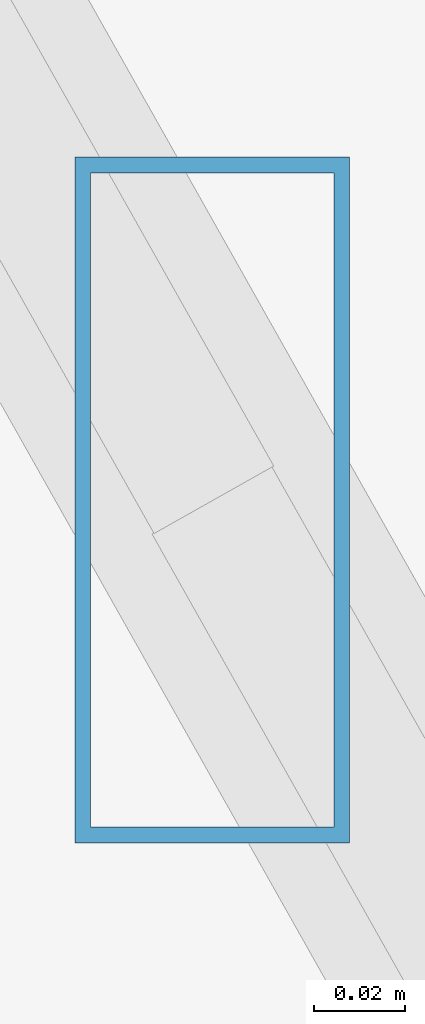
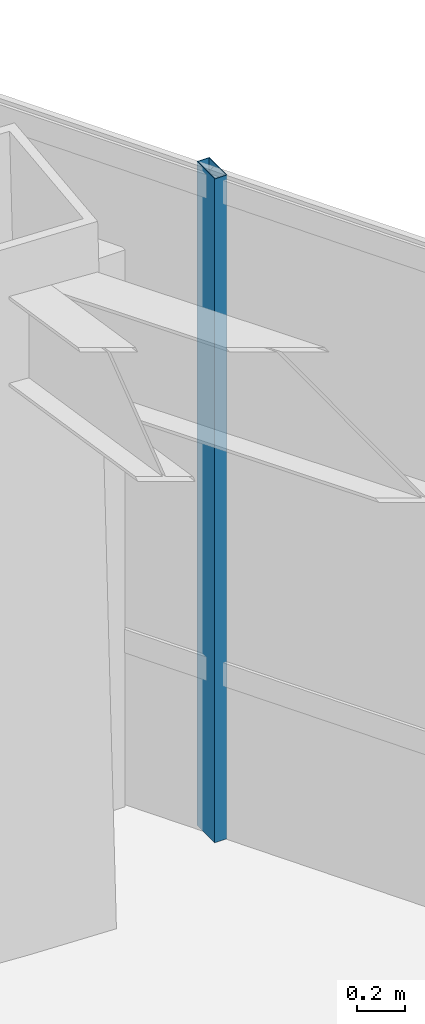
# One storey, part 32 of 42: 1 member, 1 element without a shape of its own.
"""IFC4 building model written with IfcOpenShell, lengths in metres."""

from ifc_helpers import new_model, si_unit, direction, frame, origin, origin_2d, place, context, subcontext, project, spatial, hollow_rectangle, extrude, source, transform, mapped, material, material_profile, profile_set, type_object, type_shapes, element, aggregate, save


model = new_model("IFC4")

# Units and contexts
model_context = context("Model", 3, precision=1e-05, world=origin(), true_north=direction((0.0, 1.0)))
body_context = subcontext(model_context, "Body", "Model", "MODEL_VIEW")
ifc_project = project(units=[si_unit("LENGTHUNIT", "METRE"), si_unit("AREAUNIT", "SQUARE_METRE"), si_unit("VOLUMEUNIT", "CUBIC_METRE"), si_unit("PLANEANGLEUNIT", "RADIAN"), si_unit("MASSUNIT", "GRAM", prefix="KILO")], contexts=[model_context])

# Site, building, storey
site_placement = place(None, origin())
site = spatial("IfcSite", under=ifc_project, at=site_placement, CompositionType="ELEMENT")
building_placement = place(site_placement, origin())
building = spatial("IfcBuilding", under=site, at=building_placement, Name="Caelisora Broadcast Tower", CompositionType="ELEMENT")
storey_placement = place(building_placement, frame((0.0, 0.0, 195.0)))
storey = spatial("IfcBuildingStorey", under=building, at=storey_placement, Name="L51", CompositionType="ELEMENT", Elevation=195.0)

# Curtain wall, member
ifc_material_1 = material(Name="Unitised Aluminium and Low-E Glass Curtain Wall", Category="glass")
curtain_wall_type = type_object("IfcCurtainWallType", Name="CW-Z4", PredefinedType="NOTDEFINED", material=ifc_material_1)
curtain_wall_placement = place(storey_placement, origin())
curtain_wall = element("IfcCurtainWall", 1, at=curtain_wall_placement, inside=storey, type_object=curtain_wall_type, Name="L51 curtain wall CW-Z4", PredefinedType="NOTDEFINED")
ifc_material_2 = material(Name="Aluminium 6063-T6 Anodised Terracotta Bronze", Category="aluminium")
ifc_material_profile = material_profile(ifc_material_2, hollow_rectangle(XDim=0.06005859375, YDim=0.14990234375, WallThickness=0.00341796875, at=origin_2d()), Name="Aluminium 6063-T6 Anodised Terracotta Bronze")
ifc_profile_set = profile_set([ifc_material_profile], Name="Aluminium 6063-T6 Anodised Terracotta Bronze")
member_type = type_object("IfcMemberType", Name="CWM-03", PredefinedType="MULLION", material=ifc_profile_set)
shared_shape = source(origin(), body_context, "Body", "SweptSolid", [
    extrude(hollow_rectangle(XDim=0.06005859375, YDim=0.14990234375, WallThickness=0.00341796875, at=origin_2d()), origin(), (0.0, 0.0, 1.0), 3.39990234375),
])
type_shapes(member_type, [shared_shape])
member_placement = place(storey_placement, frame((44.390625, 46.563232421875, 0.0), z_axis=(0.0, 0.0, 1.0), x_axis=(1.0, 0.0, 0.0)))
member = element("IfcMember", 2, at=member_placement, type_object=member_type, Name="L51-CW-B01 mullion #1", PredefinedType="MULLION", context=body_context, shape_type="MappedRepresentation", body=[
    mapped(shared_shape, transform((0.0, 0.0, 0.0), scale=1.0)),
])
aggregate(curtain_wall, [member])

save(model, "model.ifc")
